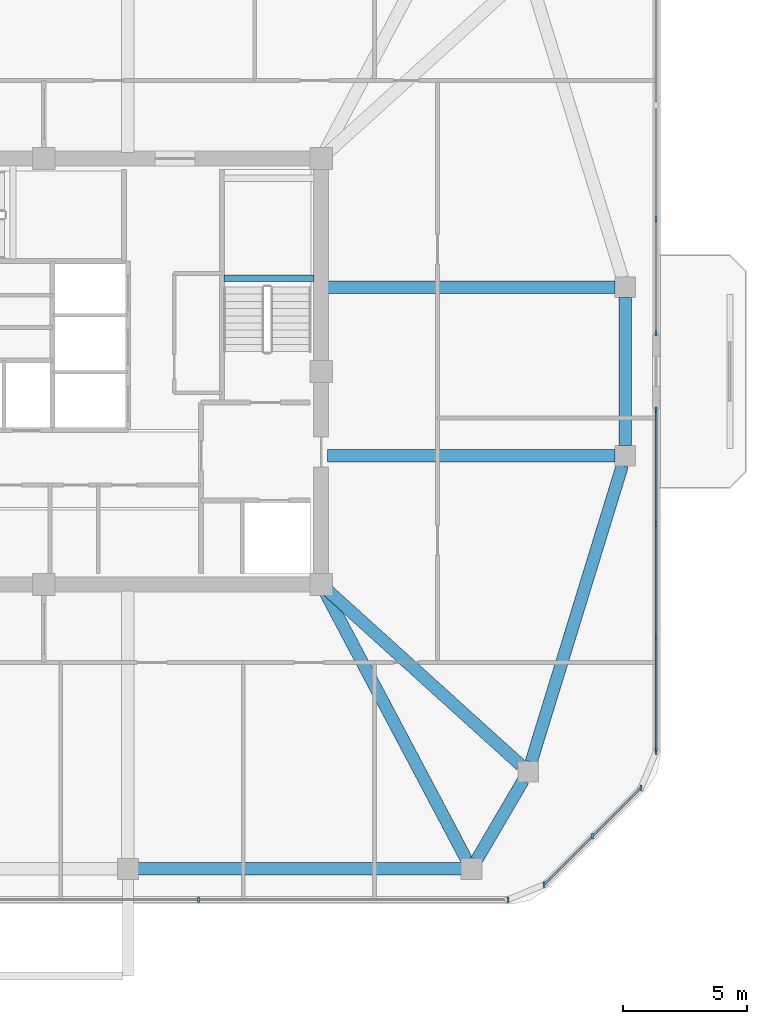
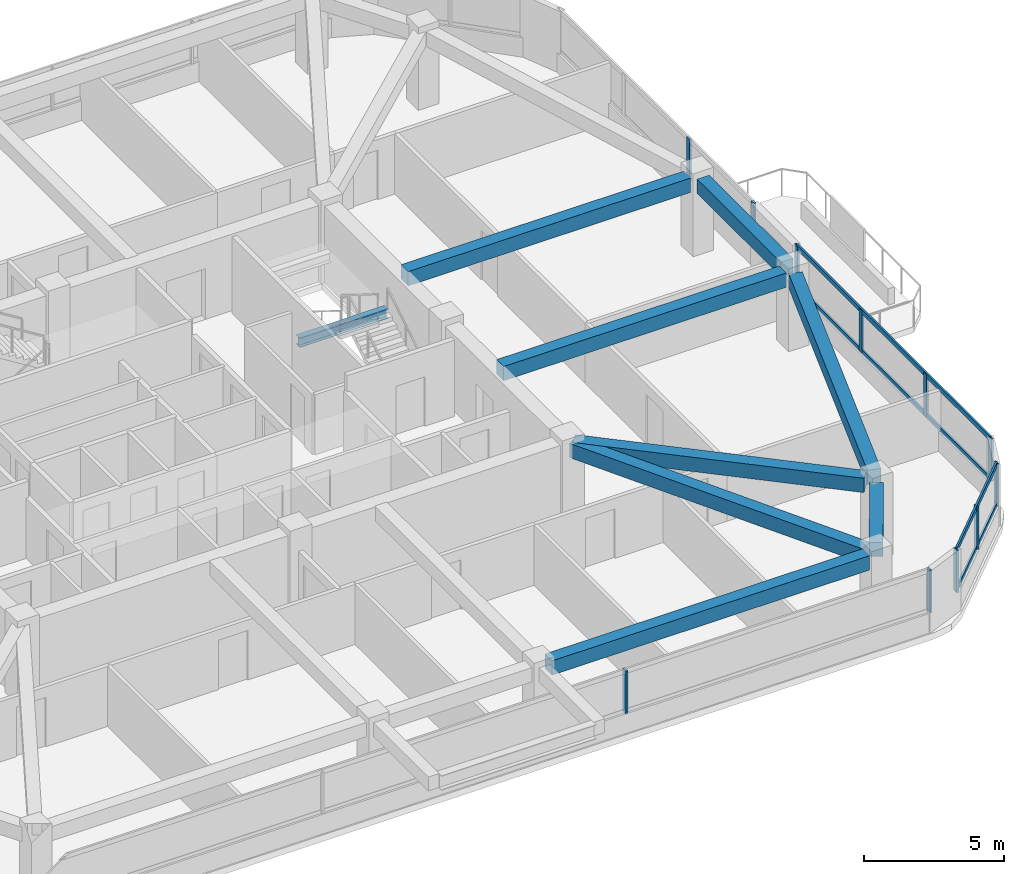
# One storey, part 5 of 14: 15 members, 9 beams, 4 elements without a shape of their own.
"""IFC4 building model written with IfcOpenShell, lengths in metres."""

from ifc_helpers import new_model, si_unit, derived_unit, direction, frame, origin, origin_2d, place, context, subcontext, project, spatial, rectangle, i_section, extrude, material, material_profile, profile_set, type_object, element, aggregate, save


model = new_model("IFC4")

# Units and contexts
model_context = context("Model", 3, precision=1e-05, world=origin(), true_north=direction((0.0, 1.0)))
body_context = subcontext(model_context, "Body", "Model", "MODEL_VIEW")
ifc_project = project(units=[si_unit("LENGTHUNIT", "METRE"), si_unit("AREAUNIT", "SQUARE_METRE"), si_unit("VOLUMEUNIT", "CUBIC_METRE"), si_unit("PLANEANGLEUNIT", "RADIAN"), si_unit("MASSUNIT", "GRAM", prefix="KILO"), derived_unit("THERMALTRANSMITTANCEUNIT", [(si_unit("POWERUNIT", "WATT"), 1), (si_unit("LENGTHUNIT", "METRE"), -2), (si_unit("THERMODYNAMICTEMPERATUREUNIT", "KELVIN"), -1)])], contexts=[model_context])

# Site, building, storey
site_placement = place(None, origin())
site = spatial("IfcSite", under=ifc_project, at=site_placement, CompositionType="ELEMENT")
building_placement = place(site_placement, origin())
building = spatial("IfcBuilding", under=site, at=building_placement, Name="Koralith Skygarden Medical Center", CompositionType="ELEMENT")
storey_placement = place(building_placement, frame((0.0, 0.0, 246.419921875)))
storey = spatial("IfcBuildingStorey", under=building, at=storey_placement, Name="L63", CompositionType="ELEMENT", Elevation=246.419921875)

# Curtain wall, members
ifc_material_1 = material(Name="Clear Laminated Glass", Category="glass")
curtain_wall_type = type_object("IfcCurtainWallType", Name="CW-6 Zone 5 Upper Clinical Curtain Wall", PredefinedType="NOTDEFINED", material=ifc_material_1)
curtain_wall_1_placement = place(storey_placement, origin())
curtain_wall_1 = element("IfcCurtainWall", 1, at=curtain_wall_1_placement, inside=storey, type_object=curtain_wall_type, Name="Curtain Wall CW-L63-S", PredefinedType="NOTDEFINED")
ifc_material_2 = material(Name="Aluminium 6063-T6", Category="aluminium")
ifc_material_profile_1 = material_profile(ifc_material_2, rectangle(XDim=0.0830078125, YDim=0.219970703125, at=origin_2d()), Name="MUL83X220")
ifc_profile_set_1 = profile_set([ifc_material_profile_1], Name="Aluminium 6063-T6")
member_type_1 = type_object("IfcMemberType", Name="CW-6 Extruded Mullion 83x220", PredefinedType="MULLION", material=ifc_profile_set_1)
member_1_placement = place(storey_placement, frame((43.248046875, 4.580078125, 0.85009765625), z_axis=(0.0, 0.0, 1.0), x_axis=(1.0, 0.0, 0.0)))
member_1 = element("IfcMember", 2, at=member_1_placement, type_object=member_type_1, Name="CW-L63-S Mullion 3", PredefinedType="MULLION", context=body_context, shape_type="SweptSolid", body=[
    extrude(rectangle(XDim=0.0830078125, YDim=0.219970703125, at=origin_2d()), origin(), (0.0, 0.0, 1.0), 1.840087890625),
])
member_2_placement = place(storey_placement, frame((55.7451171875, 4.580078125, 0.85009765625), z_axis=(0.0, 0.0, 1.0), x_axis=(1.0, 0.0, 0.0)))
member_2 = element("IfcMember", 3, at=member_2_placement, type_object=member_type_1, Name="CW-L63-S Mullion 4", PredefinedType="MULLION", context=body_context, shape_type="SweptSolid", body=[
    extrude(rectangle(XDim=0.0830078125, YDim=0.219970703125, at=origin_2d()), origin(), (0.0, 0.0, 1.0), 1.840087890625),
])
aggregate(curtain_wall_1, [member_1, member_2])

curtain_wall_2_placement = place(storey_placement, origin())
curtain_wall_2 = element("IfcCurtainWall", 4, at=curtain_wall_2_placement, inside=storey, type_object=curtain_wall_type, Name="Curtain Wall CW-L63-SE", PredefinedType="NOTDEFINED")
member_3_placement = place(storey_placement, frame((57.196044921875, 5.180908203125, 0.85009765625), z_axis=(0.0, 0.0, 1.0), x_axis=(1.0, 0.0, 0.0)))
member_3 = element("IfcMember", 5, at=member_3_placement, type_object=member_type_1, Name="CW-L63-SE Mullion 1", PredefinedType="MULLION", context=body_context, shape_type="SweptSolid", body=[
    extrude(rectangle(XDim=0.0830078125, YDim=0.219970703125, at=origin_2d()), origin(), (0.0, 0.0, 1.0), 1.840087890625),
])
member_4_placement = place(storey_placement, frame((59.156982421875, 7.14306640625, 0.85009765625), z_axis=(0.0, 0.0, 1.0), x_axis=(1.0, 0.0, 0.0)))
member_4 = element("IfcMember", 6, at=member_4_placement, type_object=member_type_1, Name="CW-L63-SE Mullion 2", PredefinedType="MULLION", context=body_context, shape_type="SweptSolid", body=[
    extrude(rectangle(XDim=0.0830078125, YDim=0.219970703125, at=origin_2d()), origin(), (0.0, 0.0, 1.0), 1.840087890625),
])
member_5_placement = place(storey_placement, frame((61.118896484375, 9.10400390625, 0.85009765625), z_axis=(0.0, 0.0, 1.0), x_axis=(1.0, 0.0, 0.0)))
member_5 = element("IfcMember", 7, at=member_5_placement, type_object=member_type_1, Name="CW-L63-SE Mullion 3", PredefinedType="MULLION", context=body_context, shape_type="SweptSolid", body=[
    extrude(rectangle(XDim=0.0830078125, YDim=0.219970703125, at=origin_2d()), origin(), (0.0, 0.0, 1.0), 1.840087890625),
])

curtain_wall_3_placement = place(storey_placement, origin())
curtain_wall_3 = element("IfcCurtainWall", 8, at=curtain_wall_3_placement, inside=storey, type_object=curtain_wall_type, Name="Curtain Wall CW-L63-E-L", PredefinedType="NOTDEFINED")
member_6_placement = place(storey_placement, frame((61.719970703125, 10.554931640625, 0.85009765625), z_axis=(0.0, 0.0, 1.0), x_axis=(1.0, 0.0, 0.0)))
member_6 = element("IfcMember", 9, at=member_6_placement, type_object=member_type_1, Name="CW-L63-E-L Mullion 1", PredefinedType="MULLION", context=body_context, shape_type="SweptSolid", body=[
    extrude(rectangle(XDim=0.0830078125, YDim=0.219970703125, at=origin_2d()), origin(), (0.0, 0.0, 1.0), 1.840087890625),
])
member_7_placement = place(storey_placement, frame((61.719970703125, 15.156982421875, 0.85009765625), z_axis=(0.0, 0.0, 1.0), x_axis=(1.0, 0.0, 0.0)))
member_7 = element("IfcMember", 10, at=member_7_placement, type_object=member_type_1, Name="CW-L63-E-L Mullion 2", PredefinedType="MULLION", context=body_context, shape_type="SweptSolid", body=[
    extrude(rectangle(XDim=0.0830078125, YDim=0.219970703125, at=origin_2d()), origin(), (0.0, 0.0, 1.0), 1.840087890625),
])
member_8_placement = place(storey_placement, frame((61.719970703125, 19.758056640625, 0.85009765625), z_axis=(0.0, 0.0, 1.0), x_axis=(1.0, 0.0, 0.0)))
member_8 = element("IfcMember", 11, at=member_8_placement, type_object=member_type_1, Name="CW-L63-E-L Mullion 3", PredefinedType="MULLION", context=body_context, shape_type="SweptSolid", body=[
    extrude(rectangle(XDim=0.0830078125, YDim=0.219970703125, at=origin_2d()), origin(), (0.0, 0.0, 1.0), 1.840087890625),
])
member_9_placement = place(storey_placement, frame((61.719970703125, 24.360107421875, 0.85009765625), z_axis=(0.0, 0.0, 1.0), x_axis=(1.0, 0.0, 0.0)))
member_9 = element("IfcMember", 12, at=member_9_placement, type_object=member_type_1, Name="CW-L63-E-L Mullion 4", PredefinedType="MULLION", context=body_context, shape_type="SweptSolid", body=[
    extrude(rectangle(XDim=0.0830078125, YDim=0.219970703125, at=origin_2d()), origin(), (0.0, 0.0, 1.0), 1.840087890625),
])

curtain_wall_4_placement = place(storey_placement, origin())
curtain_wall_4 = element("IfcCurtainWall", 13, at=curtain_wall_4_placement, inside=storey, type_object=curtain_wall_type, Name="Curtain Wall CW-L63-E-R", PredefinedType="NOTDEFINED")
member_10_placement = place(storey_placement, frame((61.719970703125, 27.43994140625, 0.85009765625), z_axis=(0.0, 0.0, 1.0), x_axis=(1.0, 0.0, 0.0)))
member_10 = element("IfcMember", 14, at=member_10_placement, type_object=member_type_1, Name="CW-L63-E-R Mullion 1", PredefinedType="MULLION", context=body_context, shape_type="SweptSolid", body=[
    extrude(rectangle(XDim=0.0830078125, YDim=0.219970703125, at=origin_2d()), origin(), (0.0, 0.0, 1.0), 1.840087890625),
])
member_11_placement = place(storey_placement, frame((61.719970703125, 32.0419921875, 0.85009765625), z_axis=(0.0, 0.0, 1.0), x_axis=(1.0, 0.0, 0.0)))
member_11 = element("IfcMember", 15, at=member_11_placement, type_object=member_type_1, Name="CW-L63-E-R Mullion 2", PredefinedType="MULLION", context=body_context, shape_type="SweptSolid", body=[
    extrude(rectangle(XDim=0.0830078125, YDim=0.219970703125, at=origin_2d()), origin(), (0.0, 0.0, 1.0), 1.840087890625),
])
aggregate(curtain_wall_4, [member_10, member_11])

# Member
ifc_material_profile_2 = material_profile(ifc_material_2, rectangle(XDim=0.077880859375, YDim=0.197998046875, at=origin_2d()), Name="TRN78X198")
ifc_profile_set_2 = profile_set([ifc_material_profile_2], Name="Aluminium 6063-T6")
member_type_2 = type_object("IfcMemberType", Name="CW-6 Thermal Transom 78x198", PredefinedType="USERDEFINED", material=ifc_profile_set_2)
member_12_placement = place(storey_placement, frame((57.196044921875, 5.180908203125, 0.900146484375), z_axis=(0.707084777957, 0.707128783731, 0.0), x_axis=(-0.707128783731, 0.707084777957, 0.0)))
member_12 = element("IfcMember", 16, at=member_12_placement, type_object=member_type_2, Name="CW-L63-SE Transom 1", ObjectType="TRANSOM", PredefinedType="USERDEFINED", context=body_context, shape_type="SweptSolid", body=[
    extrude(rectangle(XDim=0.077880859375, YDim=0.197998046875, at=origin_2d()), origin(), (0.0, 0.0, 1.0), 5.5478515625),
])

member_13_placement = place(storey_placement, frame((57.196044921875, 5.180908203125, 2.64013671875), z_axis=(0.707084777957, 0.707128783731, 0.0), x_axis=(-0.707128783731, 0.707084777957, 0.0)))
member_13 = element("IfcMember", 17, at=member_13_placement, type_object=member_type_2, Name="CW-L63-SE Transom 2", ObjectType="TRANSOM", PredefinedType="USERDEFINED", context=body_context, shape_type="SweptSolid", body=[
    extrude(rectangle(XDim=0.077880859375, YDim=0.197998046875, at=origin_2d()), origin(), (0.0, 0.0, 1.0), 5.5478515625),
])

aggregate(curtain_wall_2, [member_3, member_4, member_5, member_12, member_13])

member_14_placement = place(storey_placement, frame((61.719970703125, 10.554931640625, 0.900146484375), z_axis=(0.0, 1.0, 0.0), x_axis=(-1.0, 0.0, 0.0)))
member_14 = element("IfcMember", 18, at=member_14_placement, type_object=member_type_2, Name="CW-L63-E-L Transom 1", ObjectType="TRANSOM", PredefinedType="USERDEFINED", context=body_context, shape_type="SweptSolid", body=[
    extrude(rectangle(XDim=0.077880859375, YDim=0.197998046875, at=origin_2d()), origin(), (0.0, 0.0, 1.0), 13.80517578125),
])

member_15_placement = place(storey_placement, frame((61.719970703125, 10.554931640625, 2.64013671875), z_axis=(0.0, 1.0, 0.0), x_axis=(-1.0, 0.0, 0.0)))
member_15 = element("IfcMember", 19, at=member_15_placement, type_object=member_type_2, Name="CW-L63-E-L Transom 2", ObjectType="TRANSOM", PredefinedType="USERDEFINED", context=body_context, shape_type="SweptSolid", body=[
    extrude(rectangle(XDim=0.077880859375, YDim=0.197998046875, at=origin_2d()), origin(), (0.0, 0.0, 1.0), 13.80517578125),
])

aggregate(curtain_wall_3, [member_6, member_7, member_8, member_9, member_14, member_15])

# Beams
ifc_material_3 = material(Name="Steel ASTM A992 Grade 50", Category="steel")
ifc_material_profile_3 = material_profile(ifc_material_3, i_section(OverallWidth=0.260009765625, OverallDepth=0.4150390625, WebThickness=0.010009765625, FlangeThickness=0.016845703125, at=origin_2d()), Name="W16X67")
ifc_profile_set_3 = profile_set([ifc_material_profile_3], Name="Steel ASTM A992 Grade 50")
beam_type_1 = type_object("IfcBeamType", Name="Clinical Floor Joist W16X67", PredefinedType="JOIST", material=ifc_profile_set_3)
beam_1_placement = place(storey_placement, frame((44.280029296875, 29.659912109375, 1.39208984375), z_axis=(1.0, 0.0, 0.0), x_axis=(0.0, 1.0, 0.0)))
element("IfcBeam", 20, at=beam_1_placement, inside=storey, type_object=beam_type_1, Name="L63 Stair ST2 Half-Landing Support Beam 1A", PredefinedType="JOIST", context=body_context, shape_type="SweptSolid", body=[
    extrude(i_section(OverallWidth=0.260009765625, OverallDepth=0.4150390625, WebThickness=0.010009765625, FlangeThickness=0.016845703125, at=origin_2d()), origin(), (0.0, 0.0, 1.0), 3.639892578125),
])
ifc_material_4 = material(Name="Concrete C45/55", Category="concrete")
ifc_material_profile_4 = material_profile(ifc_material_4, rectangle(XDim=0.5, YDim=0.6201171875, at=origin_2d()), Name="RCB500X620")
ifc_profile_set_4 = profile_set([ifc_material_profile_4], Name="Concrete C45/55")
beam_type_2 = type_object("IfcBeamType", Name="Upper Radial Collector Beam RCB500X620", PredefinedType="BEAM", material=ifc_profile_set_4)
beam_2_placement = place(storey_placement, frame((48.31689453125, 17.0791015625, 3.010009765625), z_axis=(0.46724871287, -0.884125918816, 0.0), x_axis=(0.884125918816, 0.46724871287, 0.0)))
element("IfcBeam", 21, at=beam_2_placement, inside=storey, type_object=beam_type_2, Name="L63 Radial Collector Beam RB-06", PredefinedType="BEAM", context=body_context, shape_type="SweptSolid", body=[
    extrude(rectangle(XDim=0.5, YDim=0.6201171875, at=origin_2d()), origin(), (0.0, 0.0, 1.0), 12.325439453125),
])
beam_3_placement = place(storey_placement, frame((48.385009765625, 17.132080078125, 3.010009765625), z_axis=(0.741736323186, -0.670691603397, 0.0), x_axis=(0.670691603397, 0.741736323186, 0.0)))
element("IfcBeam", 22, at=beam_3_placement, inside=storey, type_object=beam_type_2, Name="L63 Radial Collector Beam RB-07", PredefinedType="BEAM", context=body_context, shape_type="SweptSolid", body=[
    extrude(rectangle(XDim=0.5, YDim=0.6201171875, at=origin_2d()), origin(), (0.0, 0.0, 1.0), 10.61181640625),
])
for number, where, z_axis, x_axis, name in (
    (23, (48.449951171875, 22.5, 3.010009765625), (1.0, 0.0, 0.0), (0.0, 1.0, 0.0), "L63 Radial Collector Beam RB-08"),
    (24, (48.449951171875, 29.300048828125, 3.010009765625), (1.0, 0.0, 0.0), (0.0, 1.0, 0.0), "L63 Radial Collector Beam RB-09"),
):
    element("IfcBeam", number, at=place(storey_placement, frame(where, z_axis=z_axis, x_axis=x_axis)), inside=storey, type_object=beam_type_2, Name=name, PredefinedType="BEAM", context=body_context, shape_type="SweptSolid", body=[
        extrude(rectangle(XDim=0.5, YDim=0.6201171875, at=origin_2d()), origin(), (0.0, 0.0, 1.0), 11.6201171875),
    ])
ifc_material_profile_5 = material_profile(ifc_material_4, rectangle(XDim=0.5, YDim=0.6201171875, at=origin_2d()), Name="RCB500X620")
ifc_profile_set_5 = profile_set([ifc_material_profile_5], Name="Concrete C45/55")
beam_type_3 = type_object("IfcBeamType", Name="Zone 4-5 Spandrel Beam RCB500X620", PredefinedType="SPANDREL", material=ifc_profile_set_5)
beam_4_placement = place(storey_placement, frame((40.81005859375, 5.820068359375, 3.010009765625), z_axis=(1.0, 0.0, 0.0), x_axis=(0.0, 1.0, 0.0)))
element("IfcBeam", 25, at=beam_4_placement, inside=storey, type_object=beam_type_3, Name="L63 Perimeter Spandrel Beam SP-05", PredefinedType="SPANDREL", context=body_context, shape_type="SweptSolid", body=[
    extrude(rectangle(XDim=0.5, YDim=0.6201171875, at=origin_2d()), origin(), (0.0, 0.0, 1.0), 13.0478515625),
])
beam_5_placement = place(storey_placement, frame((54.47509765625, 6.174072265625, 3.010009765625), z_axis=(0.50473571007, 0.863273921175, 0.0), x_axis=(-0.863273921175, 0.50473571007, 0.0)))
element("IfcBeam", 26, at=beam_5_placement, inside=storey, type_object=beam_type_3, Name="L63 Perimeter Spandrel Beam SP-06", PredefinedType="SPANDREL", context=body_context, shape_type="SweptSolid", body=[
    extrude(rectangle(XDim=0.5, YDim=0.6201171875, at=origin_2d()), origin(), (0.0, 0.0, 1.0), 3.720703125),
])
beam_6_placement = place(storey_placement, frame((56.679931640625, 10.132080078125, 3.010009765625), z_axis=(0.293743494914, 0.955884281279, 0.0), x_axis=(-0.955884281279, 0.293743494914, 0.0)))
element("IfcBeam", 27, at=beam_6_placement, inside=storey, type_object=beam_type_3, Name="L63 Perimeter Spandrel Beam SP-07", PredefinedType="SPANDREL", context=body_context, shape_type="SweptSolid", body=[
    extrude(rectangle(XDim=0.5, YDim=0.6201171875, at=origin_2d()), origin(), (0.0, 0.0, 1.0), 12.528564453125),
])
beam_7_placement = place(storey_placement, frame((60.47998046875, 22.909912109375, 3.010009765625), z_axis=(0.0, 1.0, 0.0), x_axis=(-1.0, 0.0, 0.0)))
element("IfcBeam", 28, at=beam_7_placement, inside=storey, type_object=beam_type_3, Name="L63 Perimeter Spandrel Beam SP-08", PredefinedType="SPANDREL", context=body_context, shape_type="SweptSolid", body=[
    extrude(rectangle(XDim=0.5, YDim=0.6201171875, at=origin_2d()), origin(), (0.0, 0.0, 1.0), 5.97998046875),
])

save(model, "model.ifc")
